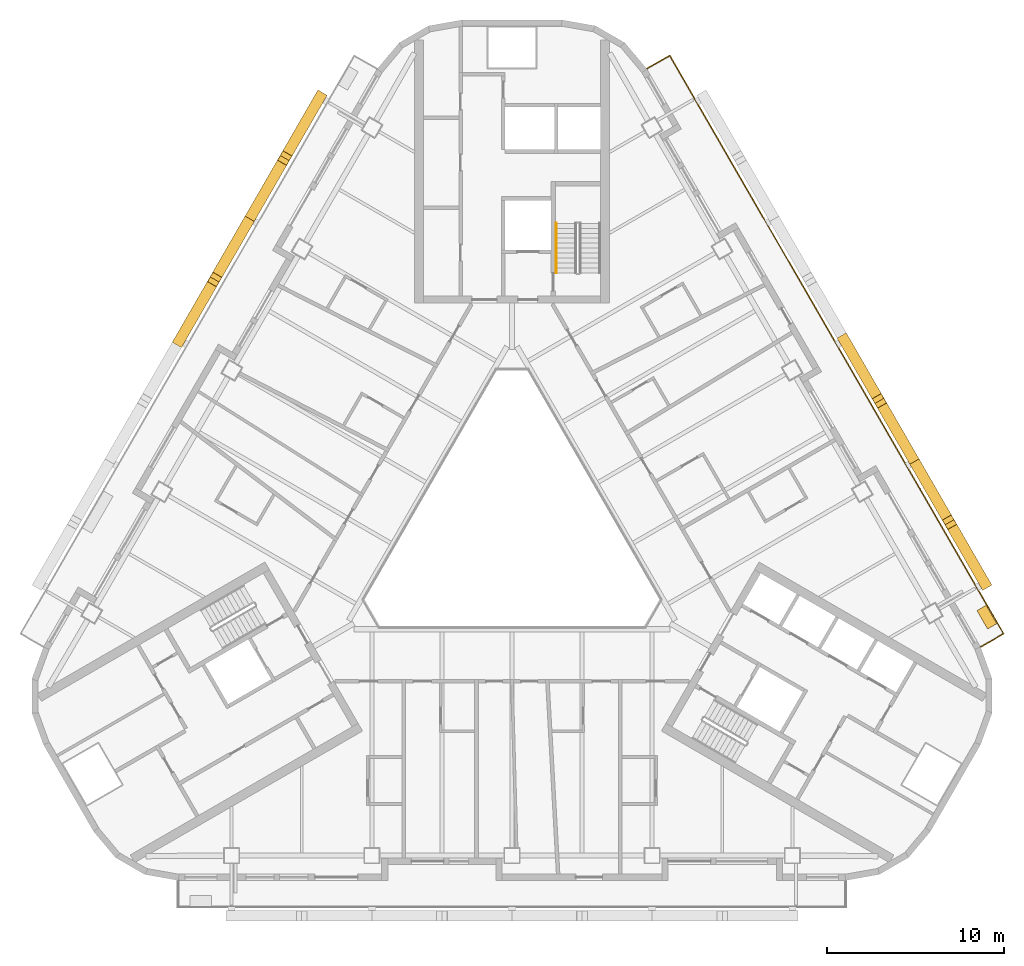
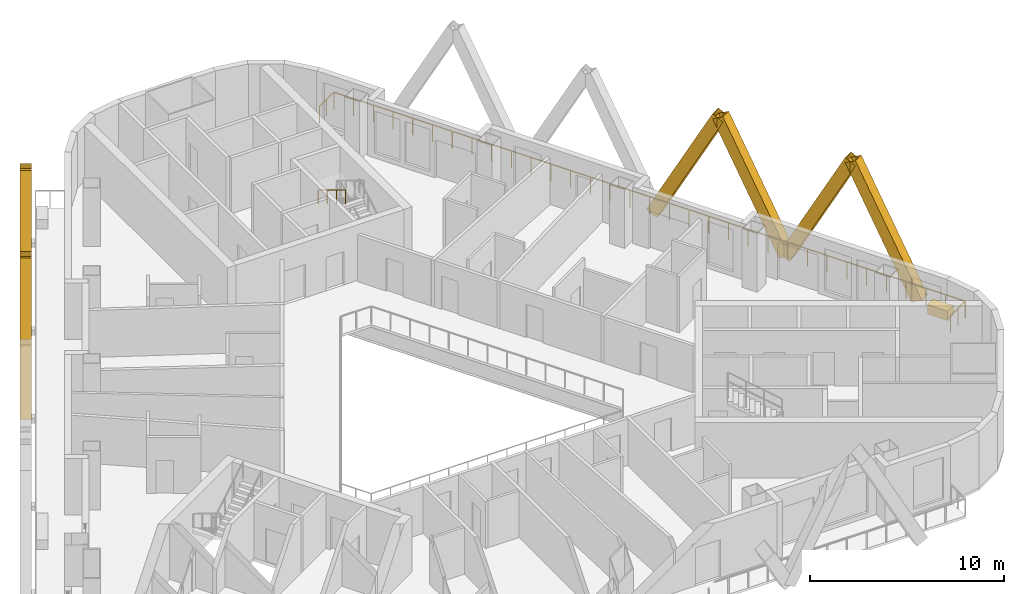
# One storey, part 13 of 14: 8 shading devices, 2 railings, 1 covering.
"""IFC4 building model written with IfcOpenShell, lengths in metres."""

from ifc_helpers import new_model, si_unit, direction, frame, origin, origin_2d, place, context, subcontext, project, spatial, rectangle, hollow_rectangle, circle, extrude, material, material_profile, profile_set, type_object, element, save


model = new_model("IFC4")

# Units and contexts
model_context = context("Model", 3, precision=1e-05, world=origin(), true_north=direction((0.0, 1.0)))
body_context = subcontext(model_context, "Body", "Model", "MODEL_VIEW")
ifc_project = project(units=[si_unit("LENGTHUNIT", "METRE"), si_unit("AREAUNIT", "SQUARE_METRE"), si_unit("VOLUMEUNIT", "CUBIC_METRE"), si_unit("PLANEANGLEUNIT", "RADIAN"), si_unit("MASSUNIT", "GRAM", prefix="KILO")], contexts=[model_context])

# Site, building, storey
site_placement = place(None, origin())
site = spatial("IfcSite", under=ifc_project, at=site_placement, CompositionType="ELEMENT")
building_placement = place(site_placement, origin())
building = spatial("IfcBuilding", under=site, at=building_placement, Name="Apuvela Tower Hotel", CompositionType="ELEMENT")
storey_placement = place(building_placement, frame((0.0, 0.0, 90.89990234375)))
storey = spatial("IfcBuildingStorey", under=building, at=storey_placement, Name="L20", CompositionType="ELEMENT", Elevation=90.89990234375)

# Railing
ifc_material_1 = material(Name="Stainless steel 316 handrail", Category="steel")
railing_type_1 = type_object("IfcRailingType", Name="COR-HANDRAIL-900", PredefinedType="HANDRAIL", material=ifc_material_1)
railing_1_placement = place(storey_placement, frame((2.5, 17.39990234375, 2.018310546875)))
element("IfcRailing", 1, at=railing_1_placement, inside=storey, type_object=railing_type_1, Name="L20 ST1 stair handrail 2", PredefinedType="HANDRAIL", context=body_context, shape_type="SweptSolid", body=[
    extrude(circle(Radius=0.02392578125, at=origin_2d()), frame((0.0, 0.0, 0.8759765625), z_axis=(0.0, -0.857222391501, 0.514946377315), x_axis=(1.0, 0.0, 0.0)), (0.0, 0.0, 1.0), 3.26611328125),
    extrude(rectangle(XDim=0.0419921875, YDim=0.0419921875, at=origin_2d()), origin(), (0.0, 0.0, 1.0), 0.851806640625),
    extrude(rectangle(XDim=0.0419921875, YDim=0.0419921875, at=origin_2d()), frame((0.0, -0.933349609375, 0.560546875)), (0.0, 0.0, 1.0), 0.851806640625),
    extrude(rectangle(XDim=0.0419921875, YDim=0.0419921875, at=origin_2d()), frame((0.0, -1.866455078125, 1.121337890625)), (0.0, 0.0, 1.0), 0.851806640625),
    extrude(rectangle(XDim=0.0419921875, YDim=0.0419921875, at=origin_2d()), frame((0.0, -2.7998046875, 1.681884765625)), (0.0, 0.0, 1.0), 0.851806640625),
])

# Shading devices
ifc_material_2 = material(Name="Aluminium 6063-T6, black anodised", Category="aluminium")
ifc_material_profile = material_profile(ifc_material_2, hollow_rectangle(XDim=0.60009765625, YDim=0.699951171875, WallThickness=0.011962890625, at=origin_2d()), Name="AL BOX 700x600x12")
ifc_profile_set = profile_set([ifc_material_profile], Name="Aluminium 6063-T6, black anodised")
shading_device_type = type_object("IfcShadingDeviceType", Name="ENV-FIN-700x600", PredefinedType="USERDEFINED", material=ifc_profile_set)
for number, where, z_axis, x_axis, name in (
    (2, (26.632080078125, -2.8681640625, -0.099853515625), (-0.235463880167, 0.407797827568, 0.882189148067), (-0.866005453737, -0.500034552904, 0.0), "Lattice fin NE193"),
    (3, (22.68212890625, 3.973388671875, -0.099853515625), (0.235433593518, -0.407824887177, 0.882184722404), (0.866047669374, 0.499961432884, 0.0), "Lattice fin NE194"),
    (4, (22.68212890625, 3.973388671875, -0.099853515625), (-0.235461085354, 0.407822092458, 0.882178677019), (-0.866020906874, -0.500007788796, 0.0), "Lattice fin NE195"),
):
    element("IfcShadingDevice", number, at=place(storey_placement, frame(where, z_axis=z_axis, x_axis=x_axis)), inside=storey, type_object=shading_device_type, Name=name, ObjectType="FIN", PredefinedType="USERDEFINED", context=body_context, shape_type="SweptSolid", body=[
        extrude(hollow_rectangle(XDim=0.60009765625, YDim=0.699951171875, WallThickness=0.011962890625, at=origin_2d()), origin(), (0.0, 0.0, 1.0), 8.38818359375),
    ])
shading_device_placement = place(storey_placement, frame((18.732177734375, 10.81494140625, -0.099853515625), z_axis=(0.235436388043, -0.407800622186, 0.882195193667), x_axis=(0.866032218625, 0.499988196164, 0.0)))
element("IfcShadingDevice", 5, at=shading_device_placement, inside=storey, type_object=shading_device_type, Name="Lattice fin NE196", ObjectType="FIN", PredefinedType="USERDEFINED", context=body_context, shape_type="SweptSolid", body=[
    extrude(hollow_rectangle(XDim=0.60009765625, YDim=0.699951171875, WallThickness=0.011962890625, at=origin_2d()), origin(), (0.0, 0.0, 1.0), 8.387939453125),
])
for number, where, z_axis, x_axis, name in (
    (6, (-10.83203125, 24.498291015625, -0.099853515625), (-0.235461085354, -0.407822092458, 0.882178677019), (0.866020906874, -0.500007788796, 0.0), "Lattice fin NW241"),
    (7, (-14.781982421875, 17.656494140625, -0.099853515625), (0.235433593518, 0.407824887177, 0.882184722404), (-0.866047669374, 0.499961432884, 0.0), "Lattice fin NW242"),
    (8, (-14.781982421875, 17.656494140625, -0.099853515625), (-0.235463880167, -0.407797827568, 0.882189148067), (0.866005453737, -0.500034552904, 0.0), "Lattice fin NW243"),
    (9, (-18.732177734375, 10.81494140625, -0.099853515625), (0.235461085354, 0.407822092458, 0.882178677019), (-0.866020906874, 0.500007788796, 0.0), "Lattice fin NW244"),
):
    element("IfcShadingDevice", number, at=place(storey_placement, frame(where, z_axis=z_axis, x_axis=x_axis)), inside=storey, type_object=shading_device_type, Name=name, ObjectType="FIN", PredefinedType="USERDEFINED", context=body_context, shape_type="SweptSolid", body=[
        extrude(hollow_rectangle(XDim=0.60009765625, YDim=0.699951171875, WallThickness=0.011962890625, at=origin_2d()), origin(), (0.0, 0.0, 1.0), 8.38818359375),
    ])

# Railing
ifc_material_3 = material(Name="Stainless steel 316 rail with laminated glass infill", Category="steel")
railing_type_2 = type_object("IfcRailingType", Name="ENV-GUARD-1100", PredefinedType="GUARDRAIL", material=ifc_material_3)
railing_2_placement = place(storey_placement, frame((26.407958984375, -6.47998046875, 0.0)))
element("IfcRailing", 10, at=railing_2_placement, inside=storey, type_object=railing_type_2, Name="Balcony guard NE L20", PredefinedType="GUARDRAIL", context=body_context, shape_type="SweptSolid", body=[
    extrude(rectangle(XDim=0.050048828125, YDim=0.050048828125, at=origin_2d()), frame((0.0, 0.0, 1.0751953125), z_axis=(0.866031096941, 0.499990139034, 0.0), x_axis=(-0.499990139034, 0.866031096941, 0.0)), (0.0, 0.0, 1.0), 1.5),
    extrude(rectangle(XDim=0.050048828125, YDim=0.050048828125, at=origin_2d()), frame((1.299072265625, 0.75, 1.0751953125), z_axis=(-0.500000437506, 0.86602515119, 0.0), x_axis=(-0.86602515119, -0.500000437506, 0.0)), (0.0, 0.0, 1.0), 37.6318359375),
    extrude(rectangle(XDim=0.050048828125, YDim=0.050048828125, at=origin_2d()), frame((-17.516845703125, 33.340087890625, 1.0751953125), z_axis=(-0.86599040064, -0.500060622324, 0.0), x_axis=(0.500060622324, -0.86599040064, 0.0)), (0.0, 0.0, 1.0), 1.499755859375),
    extrude(rectangle(XDim=0.0400390625, YDim=0.0400390625, at=origin_2d()), origin(), (0.0, 0.0, 1.0), 1.050048828125),
    extrude(rectangle(XDim=0.0400390625, YDim=0.0400390625, at=origin_2d()), frame((0.6494140625, 0.375, 0.0)), (0.0, 0.0, 1.0), 1.050048828125),
    extrude(rectangle(XDim=0.0400390625, YDim=0.0400390625, at=origin_2d()), frame((1.299072265625, 0.75, 0.0)), (0.0, 0.0, 1.0), 1.050048828125),
    extrude(rectangle(XDim=0.0400390625, YDim=0.0400390625, at=origin_2d()), frame((0.711181640625, 1.7685546875, 0.0)), (0.0, 0.0, 1.0), 1.050048828125),
    extrude(rectangle(XDim=0.0400390625, YDim=0.0400390625, at=origin_2d()), frame((0.123046875, 2.786865234375, 0.0)), (0.0, 0.0, 1.0), 1.050048828125),
    extrude(rectangle(XDim=0.0400390625, YDim=0.0400390625, at=origin_2d()), frame((-0.46484375, 3.805419921875, 0.0)), (0.0, 0.0, 1.0), 1.050048828125),
    extrude(rectangle(XDim=0.0400390625, YDim=0.0400390625, at=origin_2d()), frame((-1.052978515625, 4.82373046875, 0.0)), (0.0, 0.0, 1.0), 1.050048828125),
    extrude(rectangle(XDim=0.0400390625, YDim=0.0400390625, at=origin_2d()), frame((-1.640869140625, 5.84228515625, 0.0)), (0.0, 0.0, 1.0), 1.050048828125),
    extrude(rectangle(XDim=0.0400390625, YDim=0.0400390625, at=origin_2d()), frame((-2.22900390625, 6.860595703125, 0.0)), (0.0, 0.0, 1.0), 1.050048828125),
    extrude(rectangle(XDim=0.0400390625, YDim=0.0400390625, at=origin_2d()), frame((-2.81689453125, 7.879150390625, 0.0)), (0.0, 0.0, 1.0), 1.050048828125),
    extrude(rectangle(XDim=0.0400390625, YDim=0.0400390625, at=origin_2d()), frame((-3.40478515625, 8.8974609375, 0.0)), (0.0, 0.0, 1.0), 1.050048828125),
    extrude(rectangle(XDim=0.0400390625, YDim=0.0400390625, at=origin_2d()), frame((-3.992919921875, 9.916015625, 0.0)), (0.0, 0.0, 1.0), 1.050048828125),
    extrude(rectangle(XDim=0.0400390625, YDim=0.0400390625, at=origin_2d()), frame((-4.580810546875, 10.934326171875, 0.0)), (0.0, 0.0, 1.0), 1.050048828125),
    extrude(rectangle(XDim=0.0400390625, YDim=0.0400390625, at=origin_2d()), frame((-5.1689453125, 11.952880859375, 0.0)), (0.0, 0.0, 1.0), 1.050048828125),
    extrude(rectangle(XDim=0.0400390625, YDim=0.0400390625, at=origin_2d()), frame((-5.7568359375, 12.97119140625, 0.0)), (0.0, 0.0, 1.0), 1.050048828125),
    extrude(rectangle(XDim=0.0400390625, YDim=0.0400390625, at=origin_2d()), frame((-6.344970703125, 13.98974609375, 0.0)), (0.0, 0.0, 1.0), 1.050048828125),
    extrude(rectangle(XDim=0.0400390625, YDim=0.0400390625, at=origin_2d()), frame((-6.932861328125, 15.008056640625, 0.0)), (0.0, 0.0, 1.0), 1.050048828125),
    extrude(rectangle(XDim=0.0400390625, YDim=0.0400390625, at=origin_2d()), frame((-7.52099609375, 16.026611328125, 0.0)), (0.0, 0.0, 1.0), 1.050048828125),
    extrude(rectangle(XDim=0.0400390625, YDim=0.0400390625, at=origin_2d()), frame((-8.10888671875, 17.044921875, 0.0)), (0.0, 0.0, 1.0), 1.050048828125),
    extrude(rectangle(XDim=0.0400390625, YDim=0.0400390625, at=origin_2d()), frame((-8.69677734375, 18.0634765625, 0.0)), (0.0, 0.0, 1.0), 1.050048828125),
    extrude(rectangle(XDim=0.0400390625, YDim=0.0400390625, at=origin_2d()), frame((-9.284912109375, 19.08203125, 0.0)), (0.0, 0.0, 1.0), 1.050048828125),
    extrude(rectangle(XDim=0.0400390625, YDim=0.0400390625, at=origin_2d()), frame((-9.872802734375, 20.100341796875, 0.0)), (0.0, 0.0, 1.0), 1.050048828125),
    extrude(rectangle(XDim=0.0400390625, YDim=0.0400390625, at=origin_2d()), frame((-10.4609375, 21.118896484375, 0.0)), (0.0, 0.0, 1.0), 1.050048828125),
    extrude(rectangle(XDim=0.0400390625, YDim=0.0400390625, at=origin_2d()), frame((-11.048828125, 22.13720703125, 0.0)), (0.0, 0.0, 1.0), 1.050048828125),
    extrude(rectangle(XDim=0.0400390625, YDim=0.0400390625, at=origin_2d()), frame((-11.636962890625, 23.15576171875, 0.0)), (0.0, 0.0, 1.0), 1.050048828125),
    extrude(rectangle(XDim=0.0400390625, YDim=0.0400390625, at=origin_2d()), frame((-12.224853515625, 24.174072265625, 0.0)), (0.0, 0.0, 1.0), 1.050048828125),
    extrude(rectangle(XDim=0.0400390625, YDim=0.0400390625, at=origin_2d()), frame((-12.81298828125, 25.192626953125, 0.0)), (0.0, 0.0, 1.0), 1.050048828125),
    extrude(rectangle(XDim=0.0400390625, YDim=0.0400390625, at=origin_2d()), frame((-13.40087890625, 26.2109375, 0.0)), (0.0, 0.0, 1.0), 1.050048828125),
    extrude(rectangle(XDim=0.0400390625, YDim=0.0400390625, at=origin_2d()), frame((-13.98876953125, 27.2294921875, 0.0)), (0.0, 0.0, 1.0), 1.050048828125),
    extrude(rectangle(XDim=0.0400390625, YDim=0.0400390625, at=origin_2d()), frame((-14.576904296875, 28.247802734375, 0.0)), (0.0, 0.0, 1.0), 1.050048828125),
    extrude(rectangle(XDim=0.0400390625, YDim=0.0400390625, at=origin_2d()), frame((-15.164794921875, 29.266357421875, 0.0)), (0.0, 0.0, 1.0), 1.050048828125),
    extrude(rectangle(XDim=0.0400390625, YDim=0.0400390625, at=origin_2d()), frame((-15.7529296875, 30.28466796875, 0.0)), (0.0, 0.0, 1.0), 1.050048828125),
    extrude(rectangle(XDim=0.0400390625, YDim=0.0400390625, at=origin_2d()), frame((-16.3408203125, 31.30322265625, 0.0)), (0.0, 0.0, 1.0), 1.050048828125),
    extrude(rectangle(XDim=0.0400390625, YDim=0.0400390625, at=origin_2d()), frame((-16.928955078125, 32.321533203125, 0.0)), (0.0, 0.0, 1.0), 1.050048828125),
    extrude(rectangle(XDim=0.0400390625, YDim=0.0400390625, at=origin_2d()), frame((-17.516845703125, 33.340087890625, 0.0)), (0.0, 0.0, 1.0), 1.050048828125),
    extrude(rectangle(XDim=0.0400390625, YDim=0.0400390625, at=origin_2d()), frame((-18.166259765625, 32.965087890625, 0.0)), (0.0, 0.0, 1.0), 1.050048828125),
    extrude(rectangle(XDim=0.0400390625, YDim=0.0400390625, at=origin_2d()), frame((-18.815673828125, 32.590087890625, 0.0)), (0.0, 0.0, 1.0), 1.050048828125),
])

# Covering
ifc_material_4 = material(Name="Planting substrate and soil, planted")
covering_type = type_object("IfcCoveringType", Name="ENV-PLANTER-1200x600", PredefinedType="USERDEFINED", material=ifc_material_4)
covering_placement = place(storey_placement, frame((26.763916015625, -4.79638671875, 0.0), z_axis=(0.0, 0.0, 1.0), x_axis=(-0.5, 0.866025403784, 0.0)))
element("IfcCovering", 11, at=covering_placement, inside=storey, type_object=covering_type, Name="Planter NE2", ObjectType="PLANTER", PredefinedType="USERDEFINED", context=body_context, shape_type="SweptSolid", body=[
    extrude(rectangle(XDim=1.199951171875, YDim=0.60009765625, at=origin_2d()), origin(), (0.0, 0.0, 1.0), 0.60009765625),
])

save(model, "model.ifc")
